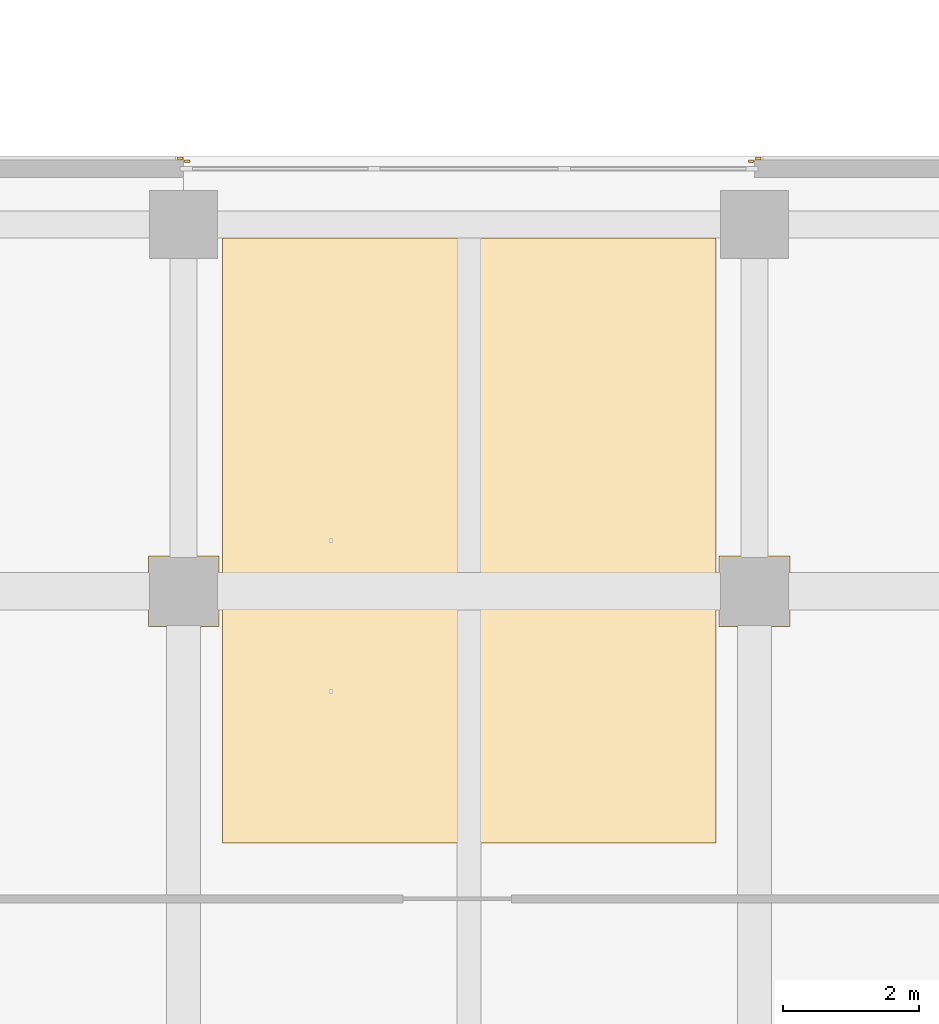
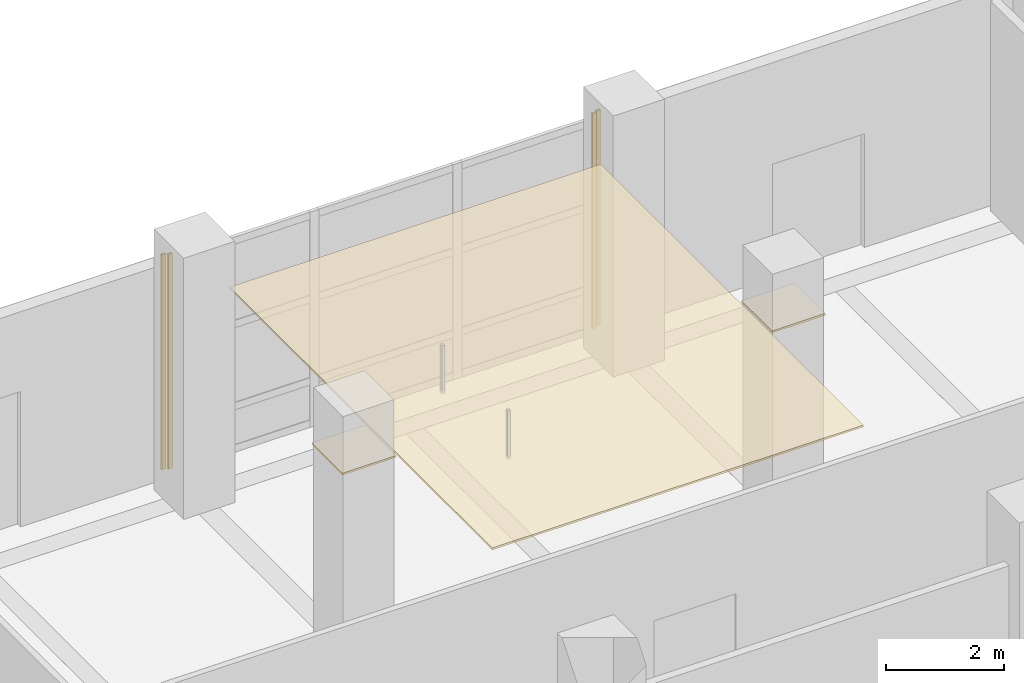
# One storey, part 120 of 140: 5 coverings.
"""IFC4 building model written with IfcOpenShell, lengths in metres."""

from ifc_helpers import new_model, si_unit, direction, frame, origin, origin_2d, place, context, subcontext, project, spatial, polyline, rectangle, outline, extrude, material, layer, layer_set, type_object, element, save


model = new_model("IFC4")

# Units and contexts
model_context = context("Model", 3, precision=1e-05, world=origin(), true_north=direction((0.0, 1.0)))
body_context = subcontext(model_context, "Body", "Model", "MODEL_VIEW")
ifc_project = project(units=[si_unit("LENGTHUNIT", "METRE"), si_unit("AREAUNIT", "SQUARE_METRE"), si_unit("VOLUMEUNIT", "CUBIC_METRE"), si_unit("PLANEANGLEUNIT", "RADIAN"), si_unit("MASSUNIT", "GRAM", prefix="KILO")], contexts=[model_context])

# Site, building, storey
site_placement = place(None, origin())
site = spatial("IfcSite", under=ifc_project, at=site_placement, CompositionType="ELEMENT")
building_placement = place(site_placement, origin())
building = spatial("IfcBuilding", under=site, at=building_placement, Name="Telukmera Botanical Conservatory", CompositionType="ELEMENT")
storey_placement = place(building_placement, origin())
storey = spatial("IfcBuildingStorey", under=building, at=storey_placement, Name="L00", CompositionType="ELEMENT", Elevation=0.0)

# Coverings
ifc_material_1 = material(Name="Perforated gypsum acoustic ceiling")
ifc_layer_1 = layer(ifc_material_1, 0.0400390625)
ifc_layer_set_1 = layer_set([ifc_layer_1], Name="Perforated gypsum acoustic ceiling")
covering_type_1 = type_object("IfcCoveringType", Name="COV-CEIL-40", PredefinedType="CEILING", material=ifc_layer_set_1)
covering_placement = place(storey_placement, frame((0.0, 0.0, 4.2099609375)))
element("IfcCovering", 1, at=covering_placement, inside=storey, type_object=covering_type_1, Name="L00 Public Herbarium Viewing Gallery Suspended Acoustic Ceiling", PredefinedType="CEILING", context=body_context, shape_type="SweptSolid", body=[
    extrude(outline(polyline([(76.169921875, 39.10009765625), (83.429931640625, 39.10009765625), (83.429931640625, 48.0), (76.169921875, 48.0), (76.169921875, 39.10009765625)]), holes=[polyline([(75.080078125, 42.280029296875), (76.1201171875, 42.280029296875), (76.1201171875, 43.320068359375), (75.080078125, 43.320068359375), (75.080078125, 42.280029296875)]), polyline([(83.47998046875, 42.280029296875), (84.52001953125, 42.280029296875), (84.52001953125, 43.320068359375), (83.47998046875, 43.320068359375), (83.47998046875, 42.280029296875)])]), origin(), (0.0, 0.0, 1.0), 0.0400390625),
])
ifc_material_2 = material(Name="Granite-faced precast concrete C40/50", Category="masonry")
ifc_layer_2 = layer(ifc_material_2, 0.0400390625)
ifc_layer_set_2 = layer_set([ifc_layer_2], Name="Granite-faced precast concrete C40/50")
covering_type_2 = type_object("IfcCoveringType", Name="Granite Precast Column Pier Reveal Casing", PredefinedType="CLADDING", material=ifc_layer_set_2)
for number, where, z_axis, x_axis, name in (
    (2, (75.548095703125, 49.169921875, 0.0), (0.0, 0.0, 1.0), (1.0, 0.0, 0.0), "Granite Pier Reveal V4:L00:N3 R"),
    (3, (75.652099609375, 49.1298828125, 0.0), (0.0, 0.0, 1.0), (1.0, 0.0, 0.0), "Granite Pier Reveal V4:L00:N4 L"),
    (4, (83.947998046875, 49.1298828125, 0.0), (0.0, 0.0, 1.0), (1.0, 0.0, 0.0), "Granite Pier Reveal V4:L00:N4 R"),
    (5, (84.052001953125, 49.169921875, 0.0), (0.0, 0.0, 1.0), (1.0, 0.0, 0.0), "Granite Pier Reveal V4:L00:N5 L"),
):
    element("IfcCovering", number, at=place(storey_placement, frame(where, z_axis=z_axis, x_axis=x_axis)), inside=storey, type_object=covering_type_2, Name=name, PredefinedType="CLADDING", context=body_context, shape_type="SweptSolid", body=[
        extrude(rectangle(XDim=0.080078125, YDim=0.0400390625, at=origin_2d()), origin(), (0.0, 0.0, 1.0), 4.449951171875),
    ])

save(model, "model.ifc")
